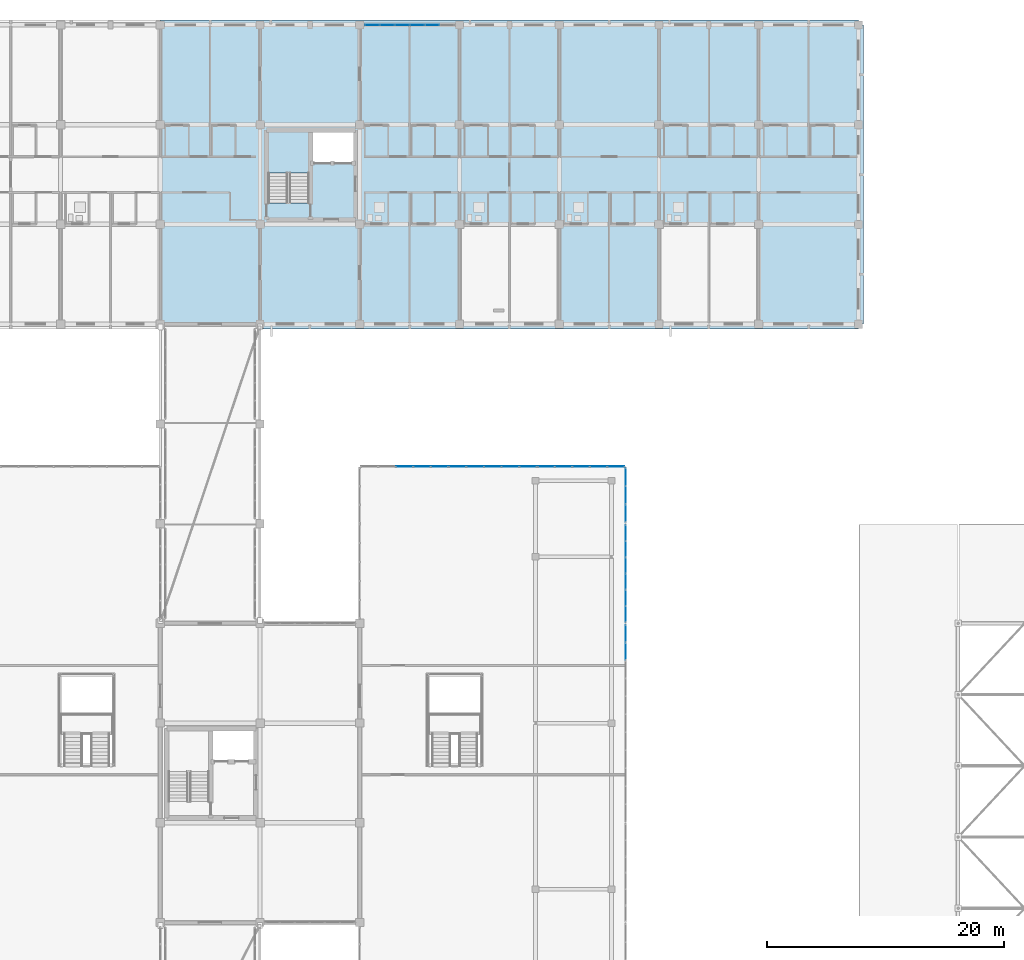
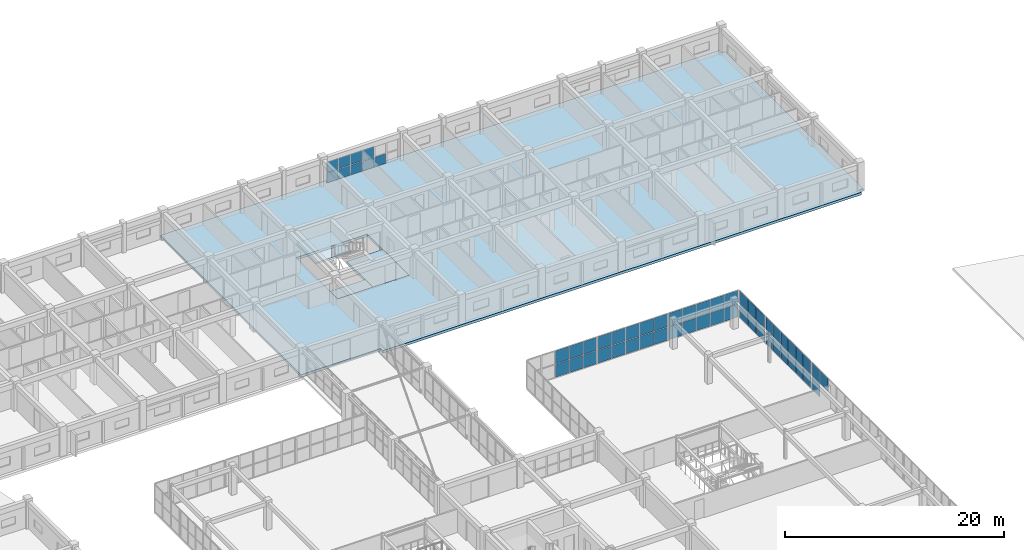
# One storey, part 106 of 148: 56 plates, 4 slabs, 8 elements without a shape of their own.
"""IFC4 building model written with IfcOpenShell, lengths in metres."""

from ifc_helpers import new_model, si_unit, direction, frame, origin, origin_2d, place, context, subcontext, project, spatial, polyline, rectangle, outline, extrude, material, layer, layer_set, type_object, element, aggregate, save


model = new_model("IFC4")

# Units and contexts
model_context = context("Model", 3, precision=1e-05, world=origin(), true_north=direction((0.0, 1.0)))
body_context = subcontext(model_context, "Body", "Model", "MODEL_VIEW")
ifc_project = project(units=[si_unit("LENGTHUNIT", "METRE"), si_unit("AREAUNIT", "SQUARE_METRE"), si_unit("VOLUMEUNIT", "CUBIC_METRE"), si_unit("PLANEANGLEUNIT", "RADIAN"), si_unit("MASSUNIT", "GRAM", prefix="KILO")], contexts=[model_context])

# Site, building, storey
site_placement = place(None, origin())
site = spatial("IfcSite", under=ifc_project, at=site_placement, CompositionType="ELEMENT")
building_placement = place(site_placement, origin())
building = spatial("IfcBuilding", under=site, at=building_placement, Name="Trelvath General Hospital", CompositionType="ELEMENT")
storey_placement = place(building_placement, frame((0.0, 0.0, 12.89990234375)))
storey = spatial("IfcBuildingStorey", under=building, at=storey_placement, Name="L03", CompositionType="ELEMENT", Elevation=12.89990234375)

# Curtain wall, plates
ifc_material_1 = material(Name="Anodised aluminium and low-E glass", Category="aluminium")
ifc_layer_1 = layer(ifc_material_1, 0.14990234375)
ifc_layer_set_1 = layer_set([ifc_layer_1], Name="Anodised aluminium and low-E glass")
curtain_wall_type_1 = type_object("IfcCurtainWallType", Name="CW CrystalCube 737 306 15", PredefinedType="USERDEFINED", material=ifc_layer_set_1)
curtain_wall_1_placement = place(storey_placement, origin())
curtain_wall_1 = element("IfcCurtainWall", 1, at=curtain_wall_1_placement, inside=storey, type_object=curtain_wall_type_1, Name="Crystal Cube Curtain Wall CUBE-E-T1 N1 L03", ObjectType="Unitised Glazed Curtain Wall", PredefinedType="USERDEFINED")
ifc_material_2 = material(Name="Low-E laminated glass", Category="glass")
ifc_layer_2 = layer(ifc_material_2, 0.028076171875)
ifc_layer_set_2 = layer_set([ifc_layer_2], Name="Low-E laminated glass")
plate_type_1 = type_object("IfcPlateType", Name="CurtainPanel Glass28", PredefinedType="CURTAIN_PANEL", material=ifc_layer_set_2)
plate_1_placement = place(storey_placement, frame((96.163330078125, 80.39990234375, 0.06005859375), z_axis=(0.0, 0.0, 1.0), x_axis=(1.0, 0.0, 0.0)))
plate_1 = element("IfcPlate", 2, at=plate_1_placement, type_object=plate_type_1, Name="CW-247 panel 3.1", PredefinedType="CURTAIN_PANEL", context=body_context, shape_type="SweptSolid", body=[
    extrude(rectangle(XDim=1.413330078125, YDim=0.028076171875, at=origin_2d()), origin(), (0.0, 0.0, 1.0), 1.43994140625),
])
plate_2_placement = place(storey_placement, frame((96.163330078125, 80.39990234375, 1.56005859375), z_axis=(0.0, 0.0, 1.0), x_axis=(1.0, 0.0, 0.0)))
plate_2 = element("IfcPlate", 3, at=plate_2_placement, type_object=plate_type_1, Name="CW-247 panel 3.2", PredefinedType="CURTAIN_PANEL", context=body_context, shape_type="SweptSolid", body=[
    extrude(rectangle(XDim=1.413330078125, YDim=0.028076171875, at=origin_2d()), origin(), (0.0, 0.0, 1.0), 1.43994140625),
])
plate_3_placement = place(storey_placement, frame((97.63671875, 80.39990234375, 0.06005859375), z_axis=(0.0, 0.0, 1.0), x_axis=(1.0, 0.0, 0.0)))
plate_3 = element("IfcPlate", 4, at=plate_3_placement, type_object=plate_type_1, Name="CW-247 panel 4.1", PredefinedType="CURTAIN_PANEL", context=body_context, shape_type="SweptSolid", body=[
    extrude(rectangle(XDim=1.413330078125, YDim=0.028076171875, at=origin_2d()), origin(), (0.0, 0.0, 1.0), 1.43994140625),
])
plate_4_placement = place(storey_placement, frame((97.63671875, 80.39990234375, 1.56005859375), z_axis=(0.0, 0.0, 1.0), x_axis=(1.0, 0.0, 0.0)))
plate_4 = element("IfcPlate", 5, at=plate_4_placement, type_object=plate_type_1, Name="CW-247 panel 4.2", PredefinedType="CURTAIN_PANEL", context=body_context, shape_type="SweptSolid", body=[
    extrude(rectangle(XDim=1.413330078125, YDim=0.028076171875, at=origin_2d()), origin(), (0.0, 0.0, 1.0), 1.43994140625),
])
plate_5_placement = place(storey_placement, frame((99.094970703125, 80.39990234375, 0.06005859375), z_axis=(0.0, 0.0, 1.0), x_axis=(1.0, 0.0, 0.0)))
plate_5 = element("IfcPlate", 6, at=plate_5_placement, type_object=plate_type_1, Name="CW-247 panel 5.1", PredefinedType="CURTAIN_PANEL", context=body_context, shape_type="SweptSolid", body=[
    extrude(rectangle(XDim=1.38330078125, YDim=0.028076171875, at=origin_2d()), origin(), (0.0, 0.0, 1.0), 1.43994140625),
])
plate_6_placement = place(storey_placement, frame((99.094970703125, 80.39990234375, 1.56005859375), z_axis=(0.0, 0.0, 1.0), x_axis=(1.0, 0.0, 0.0)))
plate_6 = element("IfcPlate", 7, at=plate_6_placement, type_object=plate_type_1, Name="CW-247 panel 5.2", PredefinedType="CURTAIN_PANEL", context=body_context, shape_type="SweptSolid", body=[
    extrude(rectangle(XDim=1.38330078125, YDim=0.028076171875, at=origin_2d()), origin(), (0.0, 0.0, 1.0), 1.43994140625),
])
aggregate(curtain_wall_1, [plate_1, plate_2, plate_3, plate_4, plate_5, plate_6])

ifc_material_3 = material(Name="Anodised aluminium and low-E glass", Category="aluminium")
ifc_layer_3 = layer(ifc_material_3, 0.14990234375)
ifc_layer_set_3 = layer_set([ifc_layer_3], Name="Anodised aluminium and low-E glass")
curtain_wall_type_2 = type_object("IfcCurtainWallType", Name="CW CrystalCube 743 306 15", PredefinedType="USERDEFINED", material=ifc_layer_set_3)
curtain_wall_2_placement = place(storey_placement, origin())
curtain_wall_2 = element("IfcCurtainWall", 8, at=curtain_wall_2_placement, inside=storey, type_object=curtain_wall_type_2, Name="Crystal Cube Curtain Wall CUBE-E-T1 N2 L03", ObjectType="Unitised Glazed Curtain Wall", PredefinedType="USERDEFINED")
plate_7_placement = place(storey_placement, frame((100.644287109375, 80.39990234375, 0.06005859375), z_axis=(0.0, 0.0, 1.0), x_axis=(1.0, 0.0, 0.0)))
plate_7 = element("IfcPlate", 9, at=plate_7_placement, type_object=plate_type_1, Name="CW-248 panel 1.1", PredefinedType="CURTAIN_PANEL", context=body_context, shape_type="SweptSolid", body=[
    extrude(rectangle(XDim=1.395263671875, YDim=0.028076171875, at=origin_2d()), origin(), (0.0, 0.0, 1.0), 1.43994140625),
])
plate_8_placement = place(storey_placement, frame((100.644287109375, 80.39990234375, 1.56005859375), z_axis=(0.0, 0.0, 1.0), x_axis=(1.0, 0.0, 0.0)))
plate_8 = element("IfcPlate", 10, at=plate_8_placement, type_object=plate_type_1, Name="CW-248 panel 1.2", PredefinedType="CURTAIN_PANEL", context=body_context, shape_type="SweptSolid", body=[
    extrude(rectangle(XDim=1.395263671875, YDim=0.028076171875, at=origin_2d()), origin(), (0.0, 0.0, 1.0), 1.43994140625),
])
plate_9_placement = place(storey_placement, frame((102.11474609375, 80.39990234375, 0.06005859375), z_axis=(0.0, 0.0, 1.0), x_axis=(1.0, 0.0, 0.0)))
plate_9 = element("IfcPlate", 11, at=plate_9_placement, type_object=plate_type_1, Name="CW-248 panel 2.1", PredefinedType="CURTAIN_PANEL", context=body_context, shape_type="SweptSolid", body=[
    extrude(rectangle(XDim=1.42529296875, YDim=0.028076171875, at=origin_2d()), origin(), (0.0, 0.0, 1.0), 1.43994140625),
])
plate_10_placement = place(storey_placement, frame((102.11474609375, 80.39990234375, 1.56005859375), z_axis=(0.0, 0.0, 1.0), x_axis=(1.0, 0.0, 0.0)))
plate_10 = element("IfcPlate", 12, at=plate_10_placement, type_object=plate_type_1, Name="CW-248 panel 2.2", PredefinedType="CURTAIN_PANEL", context=body_context, shape_type="SweptSolid", body=[
    extrude(rectangle(XDim=1.42529296875, YDim=0.028076171875, at=origin_2d()), origin(), (0.0, 0.0, 1.0), 1.43994140625),
])
plate_11_placement = place(storey_placement, frame((103.60009765625, 80.39990234375, 0.06005859375), z_axis=(0.0, 0.0, 1.0), x_axis=(1.0, 0.0, 0.0)))
plate_11 = element("IfcPlate", 13, at=plate_11_placement, type_object=plate_type_1, Name="CW-248 panel 3.1", PredefinedType="CURTAIN_PANEL", context=body_context, shape_type="SweptSolid", body=[
    extrude(rectangle(XDim=1.42529296875, YDim=0.028076171875, at=origin_2d()), origin(), (0.0, 0.0, 1.0), 1.43994140625),
])
plate_12_placement = place(storey_placement, frame((103.60009765625, 80.39990234375, 1.56005859375), z_axis=(0.0, 0.0, 1.0), x_axis=(1.0, 0.0, 0.0)))
plate_12 = element("IfcPlate", 14, at=plate_12_placement, type_object=plate_type_1, Name="CW-248 panel 3.2", PredefinedType="CURTAIN_PANEL", context=body_context, shape_type="SweptSolid", body=[
    extrude(rectangle(XDim=1.42529296875, YDim=0.028076171875, at=origin_2d()), origin(), (0.0, 0.0, 1.0), 1.43994140625),
])
plate_13_placement = place(storey_placement, frame((105.085205078125, 80.39990234375, 0.06005859375), z_axis=(0.0, 0.0, 1.0), x_axis=(1.0, 0.0, 0.0)))
plate_13 = element("IfcPlate", 15, at=plate_13_placement, type_object=plate_type_1, Name="CW-248 panel 4.1", PredefinedType="CURTAIN_PANEL", context=body_context, shape_type="SweptSolid", body=[
    extrude(rectangle(XDim=1.42529296875, YDim=0.028076171875, at=origin_2d()), origin(), (0.0, 0.0, 1.0), 1.43994140625),
])
plate_14_placement = place(storey_placement, frame((105.085205078125, 80.39990234375, 1.56005859375), z_axis=(0.0, 0.0, 1.0), x_axis=(1.0, 0.0, 0.0)))
plate_14 = element("IfcPlate", 16, at=plate_14_placement, type_object=plate_type_1, Name="CW-248 panel 4.2", PredefinedType="CURTAIN_PANEL", context=body_context, shape_type="SweptSolid", body=[
    extrude(rectangle(XDim=1.42529296875, YDim=0.028076171875, at=origin_2d()), origin(), (0.0, 0.0, 1.0), 1.43994140625),
])
plate_15_placement = place(storey_placement, frame((106.5556640625, 80.39990234375, 0.06005859375), z_axis=(0.0, 0.0, 1.0), x_axis=(1.0, 0.0, 0.0)))
plate_15 = element("IfcPlate", 17, at=plate_15_placement, type_object=plate_type_1, Name="CW-248 panel 5.1", PredefinedType="CURTAIN_PANEL", context=body_context, shape_type="SweptSolid", body=[
    extrude(rectangle(XDim=1.395263671875, YDim=0.028076171875, at=origin_2d()), origin(), (0.0, 0.0, 1.0), 1.43994140625),
])
plate_16_placement = place(storey_placement, frame((106.5556640625, 80.39990234375, 1.56005859375), z_axis=(0.0, 0.0, 1.0), x_axis=(1.0, 0.0, 0.0)))
plate_16 = element("IfcPlate", 18, at=plate_16_placement, type_object=plate_type_1, Name="CW-248 panel 5.2", PredefinedType="CURTAIN_PANEL", context=body_context, shape_type="SweptSolid", body=[
    extrude(rectangle(XDim=1.395263671875, YDim=0.028076171875, at=origin_2d()), origin(), (0.0, 0.0, 1.0), 1.43994140625),
])
aggregate(curtain_wall_2, [plate_7, plate_8, plate_9, plate_10, plate_11, plate_12, plate_13, plate_14, plate_15, plate_16])

curtain_wall_3_placement = place(storey_placement, origin())
curtain_wall_3 = element("IfcCurtainWall", 19, at=curtain_wall_3_placement, inside=storey, type_object=curtain_wall_type_1, Name="Crystal Cube Curtain Wall CUBE-E-T1 N3 L03", ObjectType="Unitised Glazed Curtain Wall", PredefinedType="USERDEFINED")
plate_17_placement = place(storey_placement, frame((108.10498046875, 80.39990234375, 0.06005859375), z_axis=(0.0, 0.0, 1.0), x_axis=(1.0, 0.0, 0.0)))
plate_17 = element("IfcPlate", 20, at=plate_17_placement, type_object=plate_type_1, Name="CW-249 panel 1.1", PredefinedType="CURTAIN_PANEL", context=body_context, shape_type="SweptSolid", body=[
    extrude(rectangle(XDim=1.38330078125, YDim=0.028076171875, at=origin_2d()), origin(), (0.0, 0.0, 1.0), 1.43994140625),
])
plate_18_placement = place(storey_placement, frame((108.10498046875, 80.39990234375, 1.56005859375), z_axis=(0.0, 0.0, 1.0), x_axis=(1.0, 0.0, 0.0)))
plate_18 = element("IfcPlate", 21, at=plate_18_placement, type_object=plate_type_1, Name="CW-249 panel 1.2", PredefinedType="CURTAIN_PANEL", context=body_context, shape_type="SweptSolid", body=[
    extrude(rectangle(XDim=1.38330078125, YDim=0.028076171875, at=origin_2d()), origin(), (0.0, 0.0, 1.0), 1.43994140625),
])
plate_19_placement = place(storey_placement, frame((109.563232421875, 80.39990234375, 0.06005859375), z_axis=(0.0, 0.0, 1.0), x_axis=(1.0, 0.0, 0.0)))
plate_19 = element("IfcPlate", 22, at=plate_19_placement, type_object=plate_type_1, Name="CW-249 panel 2.1", PredefinedType="CURTAIN_PANEL", context=body_context, shape_type="SweptSolid", body=[
    extrude(rectangle(XDim=1.413330078125, YDim=0.028076171875, at=origin_2d()), origin(), (0.0, 0.0, 1.0), 1.43994140625),
])
plate_20_placement = place(storey_placement, frame((109.563232421875, 80.39990234375, 1.56005859375), z_axis=(0.0, 0.0, 1.0), x_axis=(1.0, 0.0, 0.0)))
plate_20 = element("IfcPlate", 23, at=plate_20_placement, type_object=plate_type_1, Name="CW-249 panel 2.2", PredefinedType="CURTAIN_PANEL", context=body_context, shape_type="SweptSolid", body=[
    extrude(rectangle(XDim=1.413330078125, YDim=0.028076171875, at=origin_2d()), origin(), (0.0, 0.0, 1.0), 1.43994140625),
])
plate_21_placement = place(storey_placement, frame((111.03662109375, 80.39990234375, 0.06005859375), z_axis=(0.0, 0.0, 1.0), x_axis=(1.0, 0.0, 0.0)))
plate_21 = element("IfcPlate", 24, at=plate_21_placement, type_object=plate_type_1, Name="CW-249 panel 3.1", PredefinedType="CURTAIN_PANEL", context=body_context, shape_type="SweptSolid", body=[
    extrude(rectangle(XDim=1.413330078125, YDim=0.028076171875, at=origin_2d()), origin(), (0.0, 0.0, 1.0), 1.43994140625),
])
plate_22_placement = place(storey_placement, frame((111.03662109375, 80.39990234375, 1.56005859375), z_axis=(0.0, 0.0, 1.0), x_axis=(1.0, 0.0, 0.0)))
plate_22 = element("IfcPlate", 25, at=plate_22_placement, type_object=plate_type_1, Name="CW-249 panel 3.2", PredefinedType="CURTAIN_PANEL", context=body_context, shape_type="SweptSolid", body=[
    extrude(rectangle(XDim=1.413330078125, YDim=0.028076171875, at=origin_2d()), origin(), (0.0, 0.0, 1.0), 1.43994140625),
])
plate_23_placement = place(storey_placement, frame((112.510009765625, 80.39990234375, 0.06005859375), z_axis=(0.0, 0.0, 1.0), x_axis=(1.0, 0.0, 0.0)))
plate_23 = element("IfcPlate", 26, at=plate_23_placement, type_object=plate_type_1, Name="CW-249 panel 4.1", PredefinedType="CURTAIN_PANEL", context=body_context, shape_type="SweptSolid", body=[
    extrude(rectangle(XDim=1.413330078125, YDim=0.028076171875, at=origin_2d()), origin(), (0.0, 0.0, 1.0), 1.43994140625),
])
plate_24_placement = place(storey_placement, frame((112.510009765625, 80.39990234375, 1.56005859375), z_axis=(0.0, 0.0, 1.0), x_axis=(1.0, 0.0, 0.0)))
plate_24 = element("IfcPlate", 27, at=plate_24_placement, type_object=plate_type_1, Name="CW-249 panel 4.2", PredefinedType="CURTAIN_PANEL", context=body_context, shape_type="SweptSolid", body=[
    extrude(rectangle(XDim=1.413330078125, YDim=0.028076171875, at=origin_2d()), origin(), (0.0, 0.0, 1.0), 1.43994140625),
])
plate_25_placement = place(storey_placement, frame((113.96826171875, 80.39990234375, 0.06005859375), z_axis=(0.0, 0.0, 1.0), x_axis=(1.0, 0.0, 0.0)))
plate_25 = element("IfcPlate", 28, at=plate_25_placement, type_object=plate_type_1, Name="CW-249 panel 5.1", PredefinedType="CURTAIN_PANEL", context=body_context, shape_type="SweptSolid", body=[
    extrude(rectangle(XDim=1.38330078125, YDim=0.028076171875, at=origin_2d()), origin(), (0.0, 0.0, 1.0), 1.43994140625),
])
plate_26_placement = place(storey_placement, frame((113.96826171875, 80.39990234375, 1.56005859375), z_axis=(0.0, 0.0, 1.0), x_axis=(1.0, 0.0, 0.0)))
plate_26 = element("IfcPlate", 29, at=plate_26_placement, type_object=plate_type_1, Name="CW-249 panel 5.2", PredefinedType="CURTAIN_PANEL", context=body_context, shape_type="SweptSolid", body=[
    extrude(rectangle(XDim=1.38330078125, YDim=0.028076171875, at=origin_2d()), origin(), (0.0, 0.0, 1.0), 1.43994140625),
])
aggregate(curtain_wall_3, [plate_17, plate_18, plate_19, plate_20, plate_21, plate_22, plate_23, plate_24, plate_25, plate_26])

ifc_material_4 = material(Name="Anodised aluminium and low-E glass", Category="aluminium")
ifc_layer_4 = layer(ifc_material_4, 0.14990234375)
ifc_layer_set_4 = layer_set([ifc_layer_4], Name="Anodised aluminium and low-E glass")
curtain_wall_type_3 = type_object("IfcCurtainWallType", Name="CW CrystalCube 1664 306 15", PredefinedType="USERDEFINED", material=ifc_layer_set_4)
curtain_wall_4_placement = place(storey_placement, origin())
curtain_wall_4 = element("IfcCurtainWall", 30, at=curtain_wall_4_placement, inside=storey, type_object=curtain_wall_type_3, Name="Crystal Cube Curtain Wall CUBE-E-T1 E3 L03", ObjectType="Unitised Glazed Curtain Wall", PredefinedType="USERDEFINED")
plate_27_placement = place(storey_placement, frame((114.800048828125, 66.3486328125, 0.06005859375), z_axis=(0.0, 0.0, 1.0), x_axis=(0.0, -1.0, 0.0)))
plate_27 = element("IfcPlate", 31, at=plate_27_placement, type_object=plate_type_1, Name="CW-253 panel 1.1", PredefinedType="CURTAIN_PANEL", context=body_context, shape_type="SweptSolid", body=[
    extrude(rectangle(XDim=1.422607421875, YDim=0.028076171875, at=origin_2d()), origin(), (0.0, 0.0, 1.0), 1.43994140625),
])
plate_28_placement = place(storey_placement, frame((114.800048828125, 66.3486328125, 1.56005859375), z_axis=(0.0, 0.0, 1.0), x_axis=(0.0, -1.0, 0.0)))
plate_28 = element("IfcPlate", 32, at=plate_28_placement, type_object=plate_type_1, Name="CW-253 panel 1.2", PredefinedType="CURTAIN_PANEL", context=body_context, shape_type="SweptSolid", body=[
    extrude(rectangle(XDim=1.422607421875, YDim=0.028076171875, at=origin_2d()), origin(), (0.0, 0.0, 1.0), 1.43994140625),
])
plate_29_placement = place(storey_placement, frame((114.800048828125, 64.850830078125, 1.56005859375), z_axis=(0.0, 0.0, 1.0), x_axis=(0.0, -1.0, 0.0)))
plate_29 = element("IfcPlate", 33, at=plate_29_placement, type_object=plate_type_1, Name="CW-253 panel 2.2", PredefinedType="CURTAIN_PANEL", context=body_context, shape_type="SweptSolid", body=[
    extrude(rectangle(XDim=1.45263671875, YDim=0.028076171875, at=origin_2d()), origin(), (0.0, 0.0, 1.0), 1.43994140625),
])
aggregate(curtain_wall_4, [plate_27, plate_28, plate_29])

ifc_material_5 = material(Name="Anodised aluminium and low-E glass", Category="aluminium")
ifc_layer_5 = layer(ifc_material_5, 0.14990234375)
ifc_layer_set_5 = layer_set([ifc_layer_5], Name="Anodised aluminium and low-E glass")
curtain_wall_type_4 = type_object("IfcCurtainWallType", Name="CW CrystalCube 824 306 15", PredefinedType="USERDEFINED", material=ifc_layer_set_5)
curtain_wall_5_placement = place(storey_placement, origin())
curtain_wall_5 = element("IfcCurtainWall", 34, at=curtain_wall_5_placement, inside=storey, type_object=curtain_wall_type_4, Name="Crystal Cube Curtain Wall CUBE-E-T1 E4 L03", ObjectType="Unitised Glazed Curtain Wall", PredefinedType="USERDEFINED")
plate_30_placement = place(storey_placement, frame((114.800048828125, 74.818359375, 0.06005859375), z_axis=(0.0, 0.0, 1.0), x_axis=(0.0, -1.0, 0.0)))
plate_30 = element("IfcPlate", 35, at=plate_30_placement, type_object=plate_type_1, Name="CW-254 panel 1.1", PredefinedType="CURTAIN_PANEL", context=body_context, shape_type="SweptSolid", body=[
    extrude(rectangle(XDim=1.283447265625, YDim=0.028076171875, at=origin_2d()), origin(), (0.0, 0.0, 1.0), 1.43994140625),
])
plate_31_placement = place(storey_placement, frame((114.800048828125, 74.818359375, 1.56005859375), z_axis=(0.0, 0.0, 1.0), x_axis=(0.0, -1.0, 0.0)))
plate_31 = element("IfcPlate", 36, at=plate_31_placement, type_object=plate_type_1, Name="CW-254 panel 1.2", PredefinedType="CURTAIN_PANEL", context=body_context, shape_type="SweptSolid", body=[
    extrude(rectangle(XDim=1.283447265625, YDim=0.028076171875, at=origin_2d()), origin(), (0.0, 0.0, 1.0), 1.43994140625),
])
plate_32_placement = place(storey_placement, frame((114.800048828125, 73.4599609375, 0.06005859375), z_axis=(0.0, 0.0, 1.0), x_axis=(0.0, -1.0, 0.0)))
plate_32 = element("IfcPlate", 37, at=plate_32_placement, type_object=plate_type_1, Name="CW-254 panel 2.1", PredefinedType="CURTAIN_PANEL", context=body_context, shape_type="SweptSolid", body=[
    extrude(rectangle(XDim=1.313232421875, YDim=0.028076171875, at=origin_2d()), origin(), (0.0, 0.0, 1.0), 1.43994140625),
])
plate_33_placement = place(storey_placement, frame((114.800048828125, 73.4599609375, 1.56005859375), z_axis=(0.0, 0.0, 1.0), x_axis=(0.0, -1.0, 0.0)))
plate_33 = element("IfcPlate", 38, at=plate_33_placement, type_object=plate_type_1, Name="CW-254 panel 2.2", PredefinedType="CURTAIN_PANEL", context=body_context, shape_type="SweptSolid", body=[
    extrude(rectangle(XDim=1.313232421875, YDim=0.028076171875, at=origin_2d()), origin(), (0.0, 0.0, 1.0), 1.43994140625),
])
plate_34_placement = place(storey_placement, frame((114.800048828125, 72.086669921875, 0.06005859375), z_axis=(0.0, 0.0, 1.0), x_axis=(0.0, -1.0, 0.0)))
plate_34 = element("IfcPlate", 39, at=plate_34_placement, type_object=plate_type_1, Name="CW-254 panel 3.1", PredefinedType="CURTAIN_PANEL", context=body_context, shape_type="SweptSolid", body=[
    extrude(rectangle(XDim=1.313232421875, YDim=0.028076171875, at=origin_2d()), origin(), (0.0, 0.0, 1.0), 1.43994140625),
])
plate_35_placement = place(storey_placement, frame((114.800048828125, 72.086669921875, 1.56005859375), z_axis=(0.0, 0.0, 1.0), x_axis=(0.0, -1.0, 0.0)))
plate_35 = element("IfcPlate", 40, at=plate_35_placement, type_object=plate_type_1, Name="CW-254 panel 3.2", PredefinedType="CURTAIN_PANEL", context=body_context, shape_type="SweptSolid", body=[
    extrude(rectangle(XDim=1.313232421875, YDim=0.028076171875, at=origin_2d()), origin(), (0.0, 0.0, 1.0), 1.43994140625),
])
plate_36_placement = place(storey_placement, frame((114.800048828125, 70.71337890625, 0.06005859375), z_axis=(0.0, 0.0, 1.0), x_axis=(0.0, -1.0, 0.0)))
plate_36 = element("IfcPlate", 41, at=plate_36_placement, type_object=plate_type_1, Name="CW-254 panel 4.1", PredefinedType="CURTAIN_PANEL", context=body_context, shape_type="SweptSolid", body=[
    extrude(rectangle(XDim=1.313232421875, YDim=0.028076171875, at=origin_2d()), origin(), (0.0, 0.0, 1.0), 1.43994140625),
])
plate_37_placement = place(storey_placement, frame((114.800048828125, 70.71337890625, 1.56005859375), z_axis=(0.0, 0.0, 1.0), x_axis=(0.0, -1.0, 0.0)))
plate_37 = element("IfcPlate", 42, at=plate_37_placement, type_object=plate_type_1, Name="CW-254 panel 4.2", PredefinedType="CURTAIN_PANEL", context=body_context, shape_type="SweptSolid", body=[
    extrude(rectangle(XDim=1.313232421875, YDim=0.028076171875, at=origin_2d()), origin(), (0.0, 0.0, 1.0), 1.43994140625),
])
plate_38_placement = place(storey_placement, frame((114.800048828125, 69.340087890625, 0.06005859375), z_axis=(0.0, 0.0, 1.0), x_axis=(0.0, -1.0, 0.0)))
plate_38 = element("IfcPlate", 43, at=plate_38_placement, type_object=plate_type_1, Name="CW-254 panel 5.1", PredefinedType="CURTAIN_PANEL", context=body_context, shape_type="SweptSolid", body=[
    extrude(rectangle(XDim=1.313232421875, YDim=0.028076171875, at=origin_2d()), origin(), (0.0, 0.0, 1.0), 1.43994140625),
])
plate_39_placement = place(storey_placement, frame((114.800048828125, 69.340087890625, 1.56005859375), z_axis=(0.0, 0.0, 1.0), x_axis=(0.0, -1.0, 0.0)))
plate_39 = element("IfcPlate", 44, at=plate_39_placement, type_object=plate_type_1, Name="CW-254 panel 5.2", PredefinedType="CURTAIN_PANEL", context=body_context, shape_type="SweptSolid", body=[
    extrude(rectangle(XDim=1.313232421875, YDim=0.028076171875, at=origin_2d()), origin(), (0.0, 0.0, 1.0), 1.43994140625),
])
plate_40_placement = place(storey_placement, frame((114.800048828125, 67.981689453125, 0.06005859375), z_axis=(0.0, 0.0, 1.0), x_axis=(0.0, -1.0, 0.0)))
plate_40 = element("IfcPlate", 45, at=plate_40_placement, type_object=plate_type_1, Name="CW-254 panel 6.1", PredefinedType="CURTAIN_PANEL", context=body_context, shape_type="SweptSolid", body=[
    extrude(rectangle(XDim=1.283447265625, YDim=0.028076171875, at=origin_2d()), origin(), (0.0, 0.0, 1.0), 1.43994140625),
])
plate_41_placement = place(storey_placement, frame((114.800048828125, 67.981689453125, 1.56005859375), z_axis=(0.0, 0.0, 1.0), x_axis=(0.0, -1.0, 0.0)))
plate_41 = element("IfcPlate", 46, at=plate_41_placement, type_object=plate_type_1, Name="CW-254 panel 6.2", PredefinedType="CURTAIN_PANEL", context=body_context, shape_type="SweptSolid", body=[
    extrude(rectangle(XDim=1.283447265625, YDim=0.028076171875, at=origin_2d()), origin(), (0.0, 0.0, 1.0), 1.43994140625),
])
aggregate(curtain_wall_5, [plate_30, plate_31, plate_32, plate_33, plate_34, plate_35, plate_36, plate_37, plate_38, plate_39, plate_40, plate_41])

ifc_material_6 = material(Name="Anodised aluminium and low-E glass", Category="aluminium")
ifc_layer_6 = layer(ifc_material_6, 0.14990234375)
ifc_layer_set_6 = layer_set([ifc_layer_6], Name="Anodised aluminium and low-E glass")
curtain_wall_type_5 = type_object("IfcCurtainWallType", Name="CW CrystalCube 464 306 15", PredefinedType="USERDEFINED", material=ifc_layer_set_6)
curtain_wall_6_placement = place(storey_placement, origin())
curtain_wall_6 = element("IfcCurtainWall", 47, at=curtain_wall_6_placement, inside=storey, type_object=curtain_wall_type_5, Name="Crystal Cube Curtain Wall CUBE-E-T1 E5 L03", ObjectType="Unitised Glazed Curtain Wall", PredefinedType="USERDEFINED")
plate_42_placement = place(storey_placement, frame((114.800048828125, 79.53173828125, 0.06005859375), z_axis=(0.0, 0.0, 1.0), x_axis=(0.0, -1.0, 0.0)))
plate_42 = element("IfcPlate", 48, at=plate_42_placement, type_object=plate_type_1, Name="CW-256 panel 1.1", PredefinedType="CURTAIN_PANEL", context=body_context, shape_type="SweptSolid", body=[
    extrude(rectangle(XDim=1.456787109375, YDim=0.028076171875, at=origin_2d()), origin(), (0.0, 0.0, 1.0), 1.43994140625),
])
plate_43_placement = place(storey_placement, frame((114.800048828125, 79.53173828125, 1.56005859375), z_axis=(0.0, 0.0, 1.0), x_axis=(0.0, -1.0, 0.0)))
plate_43 = element("IfcPlate", 49, at=plate_43_placement, type_object=plate_type_1, Name="CW-256 panel 1.2", PredefinedType="CURTAIN_PANEL", context=body_context, shape_type="SweptSolid", body=[
    extrude(rectangle(XDim=1.456787109375, YDim=0.028076171875, at=origin_2d()), origin(), (0.0, 0.0, 1.0), 1.43994140625),
])
plate_44_placement = place(storey_placement, frame((114.800048828125, 78.0, 0.06005859375), z_axis=(0.0, 0.0, 1.0), x_axis=(0.0, -1.0, 0.0)))
plate_44 = element("IfcPlate", 50, at=plate_44_placement, type_object=plate_type_1, Name="CW-256 panel 2.1", PredefinedType="CURTAIN_PANEL", context=body_context, shape_type="SweptSolid", body=[
    extrude(rectangle(XDim=1.486572265625, YDim=0.028076171875, at=origin_2d()), origin(), (0.0, 0.0, 1.0), 1.43994140625),
])
plate_45_placement = place(storey_placement, frame((114.800048828125, 78.0, 1.56005859375), z_axis=(0.0, 0.0, 1.0), x_axis=(0.0, -1.0, 0.0)))
plate_45 = element("IfcPlate", 51, at=plate_45_placement, type_object=plate_type_1, Name="CW-256 panel 2.2", PredefinedType="CURTAIN_PANEL", context=body_context, shape_type="SweptSolid", body=[
    extrude(rectangle(XDim=1.486572265625, YDim=0.028076171875, at=origin_2d()), origin(), (0.0, 0.0, 1.0), 1.43994140625),
])
plate_46_placement = place(storey_placement, frame((114.800048828125, 76.46826171875, 0.06005859375), z_axis=(0.0, 0.0, 1.0), x_axis=(0.0, -1.0, 0.0)))
plate_46 = element("IfcPlate", 52, at=plate_46_placement, type_object=plate_type_1, Name="CW-256 panel 3.1", PredefinedType="CURTAIN_PANEL", context=body_context, shape_type="SweptSolid", body=[
    extrude(rectangle(XDim=1.456787109375, YDim=0.028076171875, at=origin_2d()), origin(), (0.0, 0.0, 1.0), 1.43994140625),
])
plate_47_placement = place(storey_placement, frame((114.800048828125, 76.46826171875, 1.56005859375), z_axis=(0.0, 0.0, 1.0), x_axis=(0.0, -1.0, 0.0)))
plate_47 = element("IfcPlate", 53, at=plate_47_placement, type_object=plate_type_1, Name="CW-256 panel 3.2", PredefinedType="CURTAIN_PANEL", context=body_context, shape_type="SweptSolid", body=[
    extrude(rectangle(XDim=1.456787109375, YDim=0.028076171875, at=origin_2d()), origin(), (0.0, 0.0, 1.0), 1.43994140625),
])
aggregate(curtain_wall_6, [plate_42, plate_43, plate_44, plate_45, plate_46, plate_47])

ifc_material_7 = material(Name="Anodised aluminium and low-E glass", Category="aluminium")
ifc_layer_7 = layer(ifc_material_7, 0.159912109375)
ifc_layer_set_7 = layer_set([ifc_layer_7], Name="Anodised aluminium and low-E glass")
curtain_wall_type_6 = type_object("IfcCurtainWallType", Name="CW Facade 759 244 16", PredefinedType="USERDEFINED", material=ifc_layer_set_7)
curtain_wall_7_placement = place(storey_placement, origin())
curtain_wall_7 = element("IfcCurtainWall", 54, at=curtain_wall_7_placement, inside=storey, type_object=curtain_wall_type_6, Name="Facade Curtain Wall CW-061", ObjectType="Unitised Glazed Curtain Wall", PredefinedType="USERDEFINED")
ifc_material_8 = material(Name="Insulated aluminium spandrel", Category="aluminium")
ifc_layer_8 = layer(ifc_material_8, 0.0439453125)
ifc_layer_set_8 = layer_set([ifc_layer_8], Name="Insulated aluminium spandrel")
plate_type_2 = type_object("IfcPlateType", Name="CurtainPanel Spandrel44", PredefinedType="CURTAIN_PANEL", material=ifc_layer_set_8)
plate_48_placement = place(storey_placement, frame((93.452392578125, 117.60009765625, 0.06005859375), z_axis=(0.0, 0.0, 1.0), x_axis=(1.0, 0.0, 0.0)))
plate_48 = element("IfcPlate", 55, at=plate_48_placement, type_object=plate_type_2, Name="CW-061 panel 1.1", PredefinedType="CURTAIN_PANEL", context=body_context, shape_type="SweptSolid", body=[
    extrude(rectangle(XDim=1.175048828125, YDim=0.0439453125, at=origin_2d()), origin(), (0.0, 0.0, 1.0), 1.0810546875),
])
plate_49_placement = place(storey_placement, frame((93.452392578125, 117.60009765625, 1.201171875), z_axis=(0.0, 0.0, 1.0), x_axis=(1.0, 0.0, 0.0)))
plate_49 = element("IfcPlate", 56, at=plate_49_placement, type_object=plate_type_2, Name="CW-061 panel 1.2", PredefinedType="CURTAIN_PANEL", context=body_context, shape_type="SweptSolid", body=[
    extrude(rectangle(XDim=1.175048828125, YDim=0.0439453125, at=origin_2d()), origin(), (0.0, 0.0, 1.0), 1.178955078125),
])
plate_50_placement = place(storey_placement, frame((94.702392578125, 117.60009765625, 0.06005859375), z_axis=(0.0, 0.0, 1.0), x_axis=(1.0, 0.0, 0.0)))
plate_50 = element("IfcPlate", 57, at=plate_50_placement, type_object=plate_type_2, Name="CW-061 panel 2.1", PredefinedType="CURTAIN_PANEL", context=body_context, shape_type="SweptSolid", body=[
    extrude(rectangle(XDim=1.205078125, YDim=0.0439453125, at=origin_2d()), origin(), (0.0, 0.0, 1.0), 1.0810546875),
])
plate_51_placement = place(storey_placement, frame((94.702392578125, 117.60009765625, 1.201171875), z_axis=(0.0, 0.0, 1.0), x_axis=(1.0, 0.0, 0.0)))
plate_51 = element("IfcPlate", 58, at=plate_51_placement, type_object=plate_type_2, Name="CW-061 panel 2.2", PredefinedType="CURTAIN_PANEL", context=body_context, shape_type="SweptSolid", body=[
    extrude(rectangle(XDim=1.205078125, YDim=0.0439453125, at=origin_2d()), origin(), (0.0, 0.0, 1.0), 1.178955078125),
])
plate_52_placement = place(storey_placement, frame((95.967529296875, 117.60009765625, 0.06005859375), z_axis=(0.0, 0.0, 1.0), x_axis=(1.0, 0.0, 0.0)))
plate_52 = element("IfcPlate", 59, at=plate_52_placement, type_object=plate_type_2, Name="CW-061 panel 3.1", PredefinedType="CURTAIN_PANEL", context=body_context, shape_type="SweptSolid", body=[
    extrude(rectangle(XDim=1.205078125, YDim=0.0439453125, at=origin_2d()), origin(), (0.0, 0.0, 1.0), 1.0810546875),
])
plate_53_placement = place(storey_placement, frame((95.967529296875, 117.60009765625, 1.201171875), z_axis=(0.0, 0.0, 1.0), x_axis=(1.0, 0.0, 0.0)))
plate_53 = element("IfcPlate", 60, at=plate_53_placement, type_object=plate_type_2, Name="CW-061 panel 3.2", PredefinedType="CURTAIN_PANEL", context=body_context, shape_type="SweptSolid", body=[
    extrude(rectangle(XDim=1.205078125, YDim=0.0439453125, at=origin_2d()), origin(), (0.0, 0.0, 1.0), 1.178955078125),
])
plate_54_placement = place(storey_placement, frame((97.232421875, 117.60009765625, 0.06005859375), z_axis=(0.0, 0.0, 1.0), x_axis=(1.0, 0.0, 0.0)))
plate_54 = element("IfcPlate", 61, at=plate_54_placement, type_object=plate_type_2, Name="CW-061 panel 4.1", PredefinedType="CURTAIN_PANEL", context=body_context, shape_type="SweptSolid", body=[
    extrude(rectangle(XDim=1.205078125, YDim=0.0439453125, at=origin_2d()), origin(), (0.0, 0.0, 1.0), 1.0810546875),
])
plate_55_placement = place(storey_placement, frame((97.232421875, 117.60009765625, 1.201171875), z_axis=(0.0, 0.0, 1.0), x_axis=(1.0, 0.0, 0.0)))
plate_55 = element("IfcPlate", 62, at=plate_55_placement, type_object=plate_type_2, Name="CW-061 panel 4.2", PredefinedType="CURTAIN_PANEL", context=body_context, shape_type="SweptSolid", body=[
    extrude(rectangle(XDim=1.205078125, YDim=0.0439453125, at=origin_2d()), origin(), (0.0, 0.0, 1.0), 1.178955078125),
])
plate_56_placement = place(storey_placement, frame((98.49755859375, 117.60009765625, 0.06005859375), z_axis=(0.0, 0.0, 1.0), x_axis=(1.0, 0.0, 0.0)))
plate_56 = element("IfcPlate", 63, at=plate_56_placement, type_object=plate_type_2, Name="CW-061 panel 5.1", PredefinedType="CURTAIN_PANEL", context=body_context, shape_type="SweptSolid", body=[
    extrude(rectangle(XDim=1.205078125, YDim=0.0439453125, at=origin_2d()), origin(), (0.0, 0.0, 1.0), 1.0810546875),
])
aggregate(curtain_wall_7, [plate_48, plate_49, plate_50, plate_51, plate_52, plate_53, plate_54, plate_55, plate_56])

# Slabs
ifc_material_9 = material(Name="Concrete C35/45", Category="concrete")
ifc_layer_9 = layer(ifc_material_9, 0.280029296875)
ifc_layer_set_9 = layer_set([ifc_layer_9], Name="Concrete C35/45")
slab_type_1 = type_object("IfcSlabType", Name="FlatSlab Clinical280", PredefinedType="FLOOR", material=ifc_layer_set_9)
slab_1_placement = place(storey_placement, frame((0.0, 0.0, -0.27978515625)))
element("IfcSlab", 64, at=slab_1_placement, inside=storey, type_object=slab_type_1, Name="Floor Slab SL-L03-V5-N1", PredefinedType="FLOOR", context=body_context, shape_type="SweptSolid", body=[
    extrude(outline(polyline([(75.6201171875, 92.39990234375), (75.6201171875, 118.02001953125), (134.39990234375, 118.02001953125), (134.39990234375, 117.60009765625), (134.820068359375, 117.60009765625), (134.820068359375, 92.39990234375), (134.39990234375, 92.39990234375), (134.39990234375, 91.97998046875), (84.0, 91.97998046875), (84.0, 92.39990234375), (75.6201171875, 92.39990234375)]), holes=[polyline([(84.550048828125, 101.199951171875), (92.050048828125, 101.199951171875), (92.050048828125, 108.75), (84.550048828125, 108.75), (84.550048828125, 101.199951171875)])]), origin(), (0.0, 0.0, 1.0), 0.27978515625),
])
slab_2_placement = place(storey_placement, frame((0.0, 0.0, -0.27978515625)))
element("IfcSlab", 65, at=slab_2_placement, inside=storey, type_object=slab_type_1, Name="Core Lobby Slab C2 L03", PredefinedType="FLOOR", context=body_context, shape_type="SweptSolid", body=[
    extrude(outline(polyline([(88.25, 101.199951171875), (92.050048828125, 101.199951171875), (92.050048828125, 105.949951171875), (88.25, 105.949951171875), (88.25, 101.199951171875)])), origin(), (0.0, 0.0, 1.0), 0.27978515625),
])
slab_3_placement = place(storey_placement, frame((0.0, 0.0, -0.27978515625)))
element("IfcSlab", 66, at=slab_3_placement, inside=storey, type_object=slab_type_1, Name="Stair Landing Slab C2 L03", PredefinedType="FLOOR", context=body_context, shape_type="SweptSolid", body=[
    extrude(outline(polyline([(84.550048828125, 101.199951171875), (88.25, 101.199951171875), (88.25, 102.60009765625), (84.550048828125, 102.60009765625), (84.550048828125, 101.199951171875)])), origin(), (0.0, 0.0, 1.0), 0.27978515625),
])

# Stair, slab
ifc_material_10 = material(Name="Concrete C35/45", Category="concrete")
stair_type = type_object("IfcStairType", Name="Stair Stretcher330", PredefinedType="TWO_STRAIGHT_RUN_STAIR", material=ifc_material_10)
stair_placement = place(storey_placement, origin())
stair = element("IfcStair", 67, at=stair_placement, inside=storey, type_object=stair_type, Name="Exit Stair ST2 L03", PredefinedType="TWO_STRAIGHT_RUN_STAIR")
ifc_material_11 = material(Name="Concrete C35/45", Category="concrete")
ifc_layer_10 = layer(ifc_material_11, 0.199951171875)
ifc_layer_set_10 = layer_set([ifc_layer_10], Name="Concrete C35/45")
slab_type_2 = type_object("IfcSlabType", Name="StairLanding 200", PredefinedType="LANDING", material=ifc_layer_set_10)
slab_4_placement = place(storey_placement, frame((0.0, 0.0, 1.4501953125)))
slab_4 = element("IfcSlab", 68, at=slab_4_placement, type_object=slab_type_2, Name="ST2-L03 landing 1", PredefinedType="LANDING", context=body_context, shape_type="SweptSolid", body=[
    extrude(outline(polyline([(84.56005859375, 105.1201171875), (88.239990234375, 105.1201171875), (88.239990234375, 108.739990234375), (84.56005859375, 108.739990234375), (84.56005859375, 105.1201171875)])), origin(), (0.0, 0.0, 1.0), 0.199951171875),
])
aggregate(stair, [slab_4])

save(model, "model.ifc")
